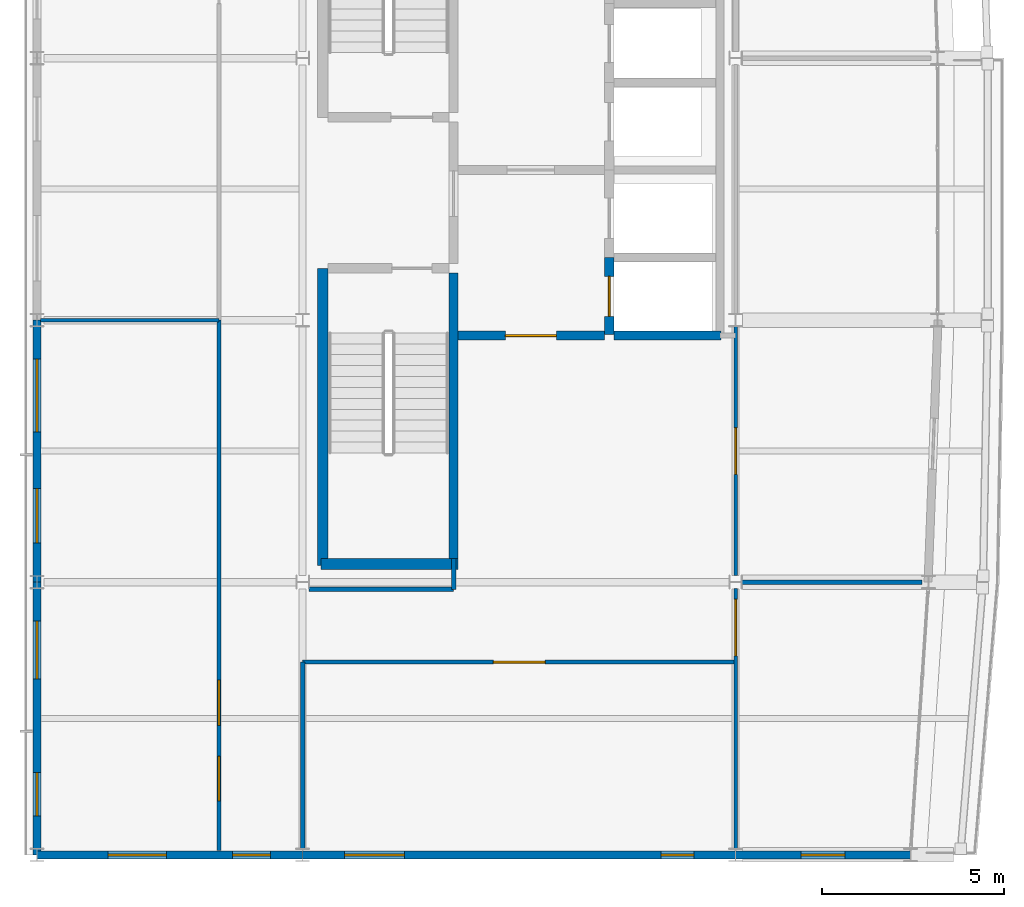
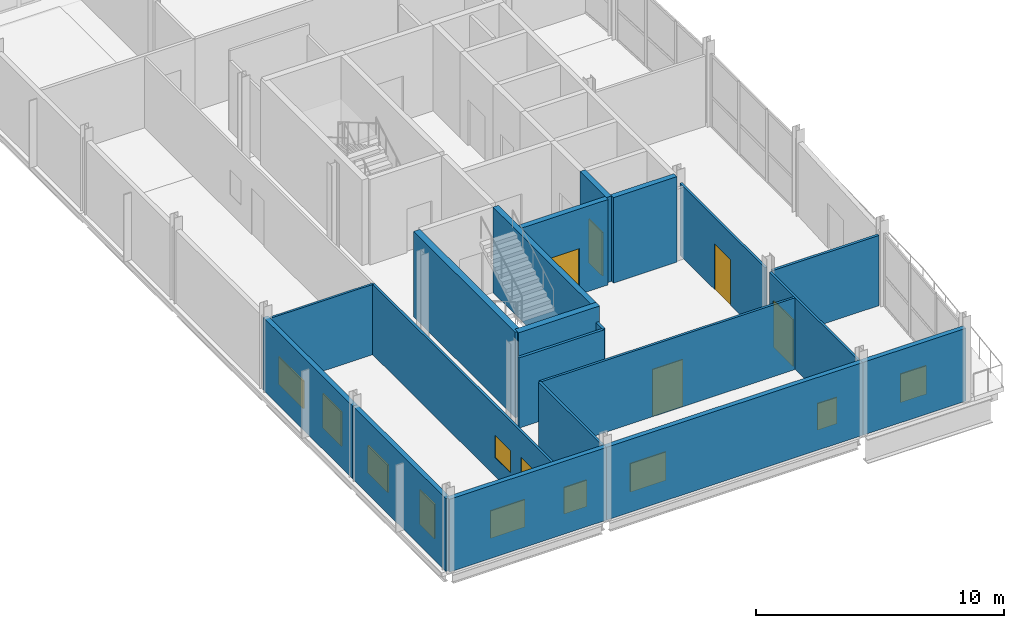
# One storey, part 11 of 17: 20 walls, 10 windows, 6 doors, 16 openings.
"""IFC4 building model written with IfcOpenShell, lengths in metres."""

from ifc_helpers import new_model, si_unit, direction, frame, frame_2d, origin, place, context, subcontext, project, spatial, rectangle, extrude, material, layer, layer_set, type_object, element, fill, save


model = new_model("IFC4")

# Units and contexts
model_context = context("Model", 3, precision=1e-05, world=origin(), true_north=direction((0.0, 1.0)))
body_context = subcontext(model_context, "Body", "Model", "MODEL_VIEW")
ifc_project = project(units=[si_unit("LENGTHUNIT", "METRE"), si_unit("AREAUNIT", "SQUARE_METRE"), si_unit("VOLUMEUNIT", "CUBIC_METRE"), si_unit("PLANEANGLEUNIT", "RADIAN"), si_unit("MASSUNIT", "GRAM", prefix="KILO")], contexts=[model_context])

# Site, building, storey
site_placement = place(None, origin())
site = spatial("IfcSite", under=ifc_project, at=site_placement, CompositionType="ELEMENT")
building_placement = place(site_placement, origin())
building = spatial("IfcBuilding", under=site, at=building_placement, Name="Quillay Park Conservatory", CompositionType="ELEMENT")
storey_placement = place(building_placement, frame((0.0, 0.0, 47.699951171875)))
storey = spatial("IfcBuildingStorey", under=building, at=storey_placement, Name="L11", CompositionType="ELEMENT", Elevation=47.699951171875)

# Wall
ifc_material_1 = material(Name="Steel-Stud Acoustic Gypsum Board Partition", Category="steel")
ifc_layer_1 = layer(ifc_material_1, 0.10009765625)
ifc_layer_set_1 = layer_set([ifc_layer_1], Name="ACOUSTIC GYPSUM PARTITION 100 (Steel-Stud Acoustic Gypsum Board Partition)")
wall_type_1 = type_object("IfcWallType", Name="ACOUSTIC GYPSUM PARTITION 100", PredefinedType="PARTITIONING", material=ifc_layer_set_1)
wall_1_placement = place(storey_placement, frame((0.64990234375, 85.199951171875, 0.0), z_axis=(0.0, 0.0, 1.0), x_axis=(1.0, 0.0, 0.0)))
element("IfcWall", 1, at=wall_1_placement, inside=storey, type_object=wall_type_1, Name="L11 West Divider 85", PredefinedType="PARTITIONING", context=body_context, shape_type="SweptSolid", body=[
    extrude(rectangle(XDim=4.900146484375, YDim=0.10009765625, at=frame_2d((2.4501953125, 0.0))), origin(), (0.0, 0.0, 1.0), 3.450927734375),
])

# Wall, opening, door
ifc_material_2 = material(Name="Steel-Stud Acoustic Gypsum Board Partition", Category="steel")
ifc_layer_2 = layer(ifc_material_2, 0.10498046875)
ifc_layer_set_2 = layer_set([ifc_layer_2], Name="ACOUSTIC GYPSUM PARTITION 105 (Steel-Stud Acoustic Gypsum Board Partition)")
wall_type_2 = type_object("IfcWallType", Name="ACOUSTIC GYPSUM PARTITION 105", PredefinedType="PARTITIONING", material=ifc_layer_set_2)
wall_2_placement = place(storey_placement, frame((19.75, 78.179443359375, 0.0), z_axis=(0.0, 0.0, 1.0), x_axis=(0.0, 1.0, 0.0)))
wall_2 = element("IfcWall", 2, at=wall_2_placement, inside=storey, type_object=wall_type_2, Name="L11 East Sky-Terrace Botanical Field Studio West Wall 1", PredefinedType="PARTITIONING", context=body_context, shape_type="SweptSolid", body=[
    extrude(rectangle(XDim=6.84765625, YDim=0.10498046875, at=frame_2d((3.423828125, 0.0))), origin(), (0.0, 0.0, 1.0), 3.527099609375),
])
opening_1_placement = place(wall_2_placement, frame((2.780517578125, 0.0, 0.0)))
opening_1 = element("IfcOpeningElement", 3, at=opening_1_placement, cuts=wall_2, Name="Opening D-RM23", PredefinedType="OPENING", context=body_context, shape_type="SweptSolid", body=[
    extrude(rectangle(XDim=1.280029296875, YDim=2.25, at=frame_2d((0.64013671875, 1.125))), frame((0.0, 0.052490234375, 0.0), z_axis=(0.0, -1.0, 0.0), x_axis=(1.0, 0.0, 0.0)), (0.0, 0.0, 1.0), 0.10498046875),
])
ifc_material_3 = material(Name="Thermally Broken Anodised Aluminium 6063-T6", Category="aluminium")
door_type_1 = type_object("IfcDoorType", Name="SINGLE SWING DOOR 1280 X2250", OperationType="NOTDEFINED", PredefinedType="DOOR", material=ifc_material_3)
door_1_placement = place(opening_1_placement, origin())
door_1 = element("IfcDoor", 4, at=door_1_placement, inside=storey, type_object=door_type_1, Name="L11 Door to East Sky-Terrace Botanical Field Studio", OperationType="SINGLE_SWING_LEFT", OverallHeight=2.25, OverallWidth=1.280029296875, PredefinedType="DOOR", context=body_context, shape_type="SweptSolid", body=[
    extrude(rectangle(XDim=1.280029296875, YDim=2.25, at=frame_2d((0.64013671875, 1.125))), frame((0.0, 0.02490234375, 0.0), z_axis=(0.0, -1.0, 0.0), x_axis=(1.0, 0.0, 0.0)), (0.0, 0.0, 1.0), 0.050048828125),
])
fill(opening_1, door_1)

wall_3_placement = place(storey_placement, frame((19.75, 70.673095703125, 0.0), z_axis=(0.0, 0.0, 1.0), x_axis=(0.0, 1.0, 0.0)))
wall_3 = element("IfcWall", 5, at=wall_3_placement, inside=storey, type_object=wall_type_2, Name="L11 Matorral Fire-Ecology Analysis Studio West Door Wall", PredefinedType="PARTITIONING", context=body_context, shape_type="SweptSolid", body=[
    extrude(rectangle(XDim=7.1474609375, YDim=0.10498046875, at=frame_2d((3.57373046875, 0.0))), origin(), (0.0, 0.0, 1.0), 3.527099609375),
])
opening_2_placement = place(wall_3_placement, frame((5.302001953125, 0.0, 0.0)))
opening_2 = element("IfcOpeningElement", 6, at=opening_2_placement, cuts=wall_3, Name="Opening D-RM26", PredefinedType="OPENING", context=body_context, shape_type="SweptSolid", body=[
    extrude(rectangle(XDim=1.550048828125, YDim=2.300048828125, at=frame_2d((0.77490234375, 1.14990234375))), frame((0.0, 0.052490234375, 0.0), z_axis=(0.0, -1.0, 0.0), x_axis=(1.0, 0.0, 0.0)), (0.0, 0.0, 1.0), 0.10498046875),
])
ifc_material_4 = material(Name="Thermally Broken Anodised Aluminium 6063-T6", Category="aluminium")
door_type_2 = type_object("IfcDoorType", Name="SINGLE SWING DOOR 1550 X2300", OperationType="NOTDEFINED", PredefinedType="DOOR", material=ifc_material_4)
door_2_placement = place(opening_2_placement, origin())
door_2 = element("IfcDoor", 7, at=door_2_placement, inside=storey, type_object=door_type_2, Name="L11 Door to Matorral Fire-Ecology Analysis Studio", OperationType="SINGLE_SWING_RIGHT", OverallHeight=2.300048828125, OverallWidth=1.550048828125, PredefinedType="DOOR", context=body_context, shape_type="SweptSolid", body=[
    extrude(rectangle(XDim=1.550048828125, YDim=2.300048828125, at=frame_2d((0.77490234375, 1.14990234375))), frame((0.0, 0.02490234375, 0.0), z_axis=(0.0, -1.0, 0.0), x_axis=(1.0, 0.0, 0.0)), (0.0, 0.0, 1.0), 0.050048828125),
])
fill(opening_2, door_2)

# Wall, openings, window, door
ifc_material_5 = material(Name="Steel-Stud Acoustic Gypsum Board Partition", Category="steel")
ifc_layer_3 = layer(ifc_material_5, 0.110107421875)
ifc_layer_set_3 = layer_set([ifc_layer_3], Name="ACOUSTIC GYPSUM PARTITION 110 (Steel-Stud Acoustic Gypsum Board Partition)")
wall_type_3 = type_object("IfcWallType", Name="ACOUSTIC GYPSUM PARTITION 110", PredefinedType="PARTITIONING", material=ifc_layer_set_3)
wall_4_placement = place(storey_placement, frame((5.550048828125, 70.625, 0.0), z_axis=(0.0, 0.0, 1.0), x_axis=(0.0, 1.0, 0.0)))
wall_4 = element("IfcWall", 8, at=wall_4_placement, inside=storey, type_object=wall_type_3, Name="L11 Rhizosphere Soil Science Workshop Corridor Wall", PredefinedType="PARTITIONING", context=body_context, shape_type="SweptSolid", body=[
    extrude(rectangle(XDim=14.574951171875, YDim=0.110107421875, at=frame_2d((7.28759765625, 0.0))), origin(), (0.0, 0.0, 1.0), 3.450927734375),
])
opening_3_placement = place(wall_4_placement, frame((1.364990234375, 0.0, 0.0)))
opening_3 = element("IfcOpeningElement", 9, at=opening_3_placement, cuts=wall_4, Name="Opening D-RM18", PredefinedType="OPENING", context=body_context, shape_type="SweptSolid", body=[
    extrude(rectangle(XDim=1.219970703125, YDim=2.199951171875, at=frame_2d((0.60986328125, 1.10009765625))), frame((0.0, 0.05517578125, 0.0), z_axis=(0.0, -1.0, 0.0), x_axis=(1.0, 0.0, 0.0)), (0.0, 0.0, 1.0), 0.110107421875),
])
opening_4_placement = place(wall_4_placement, frame((3.43505859375, 0.0, 0.919921875)))
opening_4 = element("IfcOpeningElement", 10, at=opening_4_placement, cuts=wall_4, Name="Opening W-IN04", PredefinedType="OPENING", context=body_context, shape_type="SweptSolid", body=[
    extrude(rectangle(XDim=1.25, YDim=1.10009765625, at=frame_2d((0.625, 0.550048828125))), frame((0.0, 0.05517578125, 0.0), z_axis=(0.0, -1.0, 0.0), x_axis=(1.0, 0.0, 0.0)), (0.0, 0.0, 1.0), 0.110107421875),
])
ifc_material_6 = material(Name="Low-E Double Glazing (Laminated Tempered)", Category="glass")
window_type_1 = type_object("IfcWindowType", Name="OPERABLE VENT WINDOW 1250 X1100", PartitioningType="SINGLE_PANEL", PredefinedType="WINDOW", material=ifc_material_6)
window_1_placement = place(opening_4_placement, origin())
window_1 = element("IfcWindow", 11, at=window_1_placement, inside=storey, type_object=window_type_1, Name="L11 Laboratory Vision Panel 040", OverallHeight=1.10009765625, OverallWidth=1.25, PartitioningType="SINGLE_PANEL", PredefinedType="WINDOW", context=body_context, shape_type="SweptSolid", body=[
    extrude(rectangle(XDim=1.25, YDim=1.10009765625, at=frame_2d((0.625, 0.550048828125))), frame((0.0, 0.030029296875, 0.0), z_axis=(0.0, -1.0, 0.0), x_axis=(1.0, 0.0, 0.0)), (0.0, 0.0, 1.0), 0.06005859375),
])
fill(opening_4, window_1)
ifc_material_7 = material(Name="Thermally Broken Anodised Aluminium 6063-T6", Category="aluminium")
door_type_3 = type_object("IfcDoorType", Name="SINGLE SWING DOOR 1220 X2200", OperationType="NOTDEFINED", PredefinedType="DOOR", material=ifc_material_7)
door_3_placement = place(opening_3_placement, origin())
door_3 = element("IfcDoor", 12, at=door_3_placement, inside=storey, type_object=door_type_3, Name="L11 Door to Rhizosphere Soil Science Workshop", OperationType="SINGLE_SWING_RIGHT", OverallHeight=2.199951171875, OverallWidth=1.219970703125, PredefinedType="DOOR", context=body_context, shape_type="SweptSolid", body=[
    extrude(rectangle(XDim=1.219970703125, YDim=2.199951171875, at=frame_2d((0.60986328125, 1.10009765625))), frame((0.0, 0.02490234375, 0.0), z_axis=(0.0, -1.0, 0.0), x_axis=(1.0, 0.0, 0.0)), (0.0, 0.0, 1.0), 0.050048828125),
])
fill(opening_3, door_3)

# Wall, opening, door
wall_5_placement = place(storey_placement, frame((7.85009765625, 75.800048828125, 0.0), z_axis=(0.0, 0.0, 1.0), x_axis=(1.0, 0.0, 0.0)))
wall_5 = element("IfcWall", 13, at=wall_5_placement, inside=storey, type_object=wall_type_3, Name="L11 Canopy Ecophysiology Sensor Laboratory North Door Wall", PredefinedType="PARTITIONING", context=body_context, shape_type="SweptSolid", body=[
    extrude(rectangle(XDim=11.89990234375, YDim=0.110107421875, at=frame_2d((5.949951171875, 0.0))), origin(), (0.0, 0.0, 1.0), 3.527099609375),
])
opening_5_placement = place(wall_5_placement, frame((5.239990234375, 0.0, 0.0)))
opening_5 = element("IfcOpeningElement", 14, at=opening_5_placement, cuts=wall_5, Name="Opening D-RM25", PredefinedType="OPENING", context=body_context, shape_type="SweptSolid", body=[
    extrude(rectangle(XDim=1.419921875, YDim=2.300048828125, at=frame_2d((0.7099609375, 1.14990234375))), frame((0.0, 0.05517578125, 0.0), z_axis=(0.0, -1.0, 0.0), x_axis=(1.0, 0.0, 0.0)), (0.0, 0.0, 1.0), 0.110107421875),
])
ifc_material_8 = material(Name="Thermally Broken Anodised Aluminium 6063-T6", Category="aluminium")
door_type_4 = type_object("IfcDoorType", Name="SINGLE SWING DOOR 1420 X2300", OperationType="NOTDEFINED", PredefinedType="DOOR", material=ifc_material_8)
door_4_placement = place(opening_5_placement, origin())
door_4 = element("IfcDoor", 15, at=door_4_placement, inside=storey, type_object=door_type_4, Name="L11 Door to Canopy Ecophysiology Sensor Laboratory", OperationType="SINGLE_SWING_LEFT", OverallHeight=2.300048828125, OverallWidth=1.419921875, PredefinedType="DOOR", context=body_context, shape_type="SweptSolid", body=[
    extrude(rectangle(XDim=1.419921875, YDim=2.300048828125, at=frame_2d((0.7099609375, 1.14990234375))), frame((0.0, 0.02490234375, 0.0), z_axis=(0.0, -1.0, 0.0), x_axis=(1.0, 0.0, 0.0)), (0.0, 0.0, 1.0), 0.050048828125),
])
fill(opening_5, door_4)

# Walls
ifc_material_9 = material(Name="Steel-Stud Acoustic Gypsum Board Partition", Category="steel")
ifc_layer_4 = layer(ifc_material_9, 0.114990234375)
ifc_layer_set_4 = layer_set([ifc_layer_4], Name="ACOUSTIC GYPSUM PARTITION 115 (Steel-Stud Acoustic Gypsum Board Partition)")
wall_type_4 = type_object("IfcWallType", Name="ACOUSTIC GYPSUM PARTITION 115", PredefinedType="PARTITIONING", material=ifc_layer_set_4)
wall_6_placement = place(storey_placement, frame((7.85009765625, 70.673095703125, 0.0), z_axis=(0.0, 0.0, 1.0), x_axis=(0.0, 1.0, 0.0)))
element("IfcWall", 16, at=wall_6_placement, inside=storey, type_object=wall_type_4, Name="L11 South-Central West Wall", PredefinedType="PARTITIONING", context=body_context, shape_type="SweptSolid", body=[
    extrude(rectangle(XDim=5.126953125, YDim=0.114990234375, at=frame_2d((2.5634765625, 0.0))), origin(), (0.0, 0.0, 1.0), 3.527099609375),
])
ifc_material_10 = material(Name="Steel-Stud Acoustic Gypsum Board Partition", Category="steel")
ifc_layer_5 = layer(ifc_material_10, 0.1201171875)
ifc_layer_set_5 = layer_set([ifc_layer_5], Name="ACOUSTIC GYPSUM PARTITION 120 (Steel-Stud Acoustic Gypsum Board Partition)")
wall_type_5 = type_object("IfcWallType", Name="ACOUSTIC GYPSUM PARTITION 120", PredefinedType="PARTITIONING", material=ifc_layer_set_5)
wall_7_placement = place(storey_placement, frame((12.0, 77.800048828125, 0.0), z_axis=(0.0, 0.0, 1.0), x_axis=(0.0, 1.0, 0.0)))
element("IfcWall", 17, at=wall_7_placement, inside=storey, type_object=wall_type_5, Name="L11 Core South Vestibule West Wall", PredefinedType="PARTITIONING", context=body_context, shape_type="SweptSolid", body=[
    extrude(rectangle(XDim=0.849853515625, YDim=0.1201171875, at=frame_2d((0.4248046875, 0.0))), origin(), (0.0, 0.0, 1.0), 3.450927734375),
])
wall_8_placement = place(storey_placement, frame((24.87060546875, 78.0, 0.0), z_axis=(0.0, 0.0, 1.0), x_axis=(-1.0, 0.0, 0.0)))
element("IfcWall", 18, at=wall_8_placement, inside=storey, type_object=wall_type_5, Name="L11 East Strip South Wall", PredefinedType="PARTITIONING", context=body_context, shape_type="SweptSolid", body=[
    extrude(rectangle(XDim=4.947509765625, YDim=0.1201171875, at=frame_2d((2.4736328125, 0.0))), origin(), (0.0, 0.0, 1.0), 3.450927734375),
])
ifc_material_11 = material(Name="Steel-Stud Acoustic Gypsum Board Partition", Category="steel")
ifc_layer_6 = layer(ifc_material_11, 0.125)
ifc_layer_set_6 = layer_set([ifc_layer_6], Name="ACOUSTIC GYPSUM PARTITION 125 (Steel-Stud Acoustic Gypsum Board Partition)")
wall_type_6 = type_object("IfcWallType", Name="ACOUSTIC GYPSUM PARTITION 125", PredefinedType="PARTITIONING", material=ifc_layer_set_6)
wall_9_placement = place(storey_placement, frame((8.02294921875, 77.800048828125, 0.0), z_axis=(0.0, 0.0, 1.0), x_axis=(1.0, 0.0, 0.0)))
element("IfcWall", 19, at=wall_9_placement, inside=storey, type_object=wall_type_6, Name="L11 Core South-West Return", PredefinedType="PARTITIONING", context=body_context, shape_type="SweptSolid", body=[
    extrude(rectangle(XDim=3.97705078125, YDim=0.125, at=frame_2d((1.988525390625, 0.0))), origin(), (0.0, 0.0, 1.0), 3.450927734375),
])
ifc_material_12 = material(Name="Concrete C40/50 (NCh170 Concrete C40/50)", Category="concrete")
ifc_layer_7 = layer(ifc_material_12, 0.25)
ifc_layer_set_7 = layer_set([ifc_layer_7], Name="CORE SHEAR WALL 250 (Concrete C40/50 (NCh170 Concrete C40/50))")
wall_type_7 = type_object("IfcWallType", Name="CORE SHEAR WALL 250", PredefinedType="SHEAR", material=ifc_layer_set_7)
wall_10_placement = place(storey_placement, frame((11.9951171875, 78.64990234375, 0.0), z_axis=(0.0, 0.0, 1.0), x_axis=(0.0, 1.0, 0.0)))
element("IfcWall", 20, at=wall_10_placement, inside=storey, type_object=wall_type_7, Name="L11 Core Shear Wall WL-T2E-L11", PredefinedType="SHEAR", context=body_context, shape_type="SweptSolid", body=[
    extrude(rectangle(XDim=7.85009765625, YDim=0.25, at=frame_2d((3.925048828125, 0.0))), origin(), (0.0, 0.0, 1.0), 4.199951171875),
])

# Wall, opening, door
wall_11_placement = place(storey_placement, frame((12.1201171875, 84.77490234375, 0.0), z_axis=(0.0, 0.0, 1.0), x_axis=(1.0, 0.0, 0.0)))
wall_11 = element("IfcWall", 21, at=wall_11_placement, inside=storey, type_object=wall_type_7, Name="L11 Core Shear Wall WL-FFS-L11", PredefinedType="SHEAR", context=body_context, shape_type="SweptSolid", body=[
    extrude(rectangle(XDim=4.02978515625, YDim=0.25, at=frame_2d((2.014892578125, 0.0))), origin(), (0.0, 0.0, 1.0), 4.199951171875),
])
opening_6_placement = place(wall_11_placement, frame((1.300048828125, 0.0, 0.0)))
opening_6 = element("IfcOpeningElement", 22, at=opening_6_placement, cuts=wall_11, Name="Opening D-LB03", PredefinedType="OPENING", context=body_context, shape_type="SweptSolid", body=[
    extrude(rectangle(XDim=1.39990234375, YDim=2.25, at=frame_2d((0.699951171875, 1.125))), frame((0.0, 0.125, 0.0), z_axis=(0.0, -1.0, 0.0), x_axis=(1.0, 0.0, 0.0)), (0.0, 0.0, 1.0), 0.25),
])
ifc_material_13 = material(Name="Steel ASTM A572 Grade 50", Category="steel")
door_type_5 = type_object("IfcDoorType", Name="FIRE RATED LOBBY DOOR 1400 X2250", OperationType="NOTDEFINED", PredefinedType="DOOR", material=ifc_material_13)
door_5_placement = place(opening_6_placement, origin())
door_5 = element("IfcDoor", 23, at=door_5_placement, inside=storey, type_object=door_type_5, Name="L11 South Core Lobby Door", OperationType="SINGLE_SWING_RIGHT", OverallHeight=2.25, OverallWidth=1.39990234375, PredefinedType="DOOR", context=body_context, shape_type="SweptSolid", body=[
    extrude(rectangle(XDim=1.39990234375, YDim=2.25, at=frame_2d((0.699951171875, 1.125))), frame((0.0, 0.02490234375, 0.0), z_axis=(0.0, -1.0, 0.0), x_axis=(1.0, 0.0, 0.0)), (0.0, 0.0, 1.0), 0.050048828125),
])
fill(opening_6, door_5)

# Wall
wall_12_placement = place(storey_placement, frame((16.39990234375, 84.77490234375, 0.0), z_axis=(0.0, 0.0, 1.0), x_axis=(1.0, 0.0, 0.0)))
element("IfcWall", 24, at=wall_12_placement, inside=storey, type_object=wall_type_7, Name="L11 Core Shear Wall WL-LFSO-L11", PredefinedType="SHEAR", context=body_context, shape_type="SweptSolid", body=[
    extrude(rectangle(XDim=2.9501953125, YDim=0.25, at=frame_2d((1.47509765625, 0.0))), origin(), (0.0, 0.0, 1.0), 4.199951171875),
])

# Wall, opening, door
wall_13_placement = place(storey_placement, frame((16.27490234375, 84.800048828125, 0.0), z_axis=(0.0, 0.0, 1.0), x_axis=(0.0, 1.0, 0.0)))
wall_13 = element("IfcWall", 25, at=wall_13_placement, inside=storey, type_object=wall_type_7, Name="L11 Core Shear Wall WL-LFFR-L11-LF-FF1", PredefinedType="SHEAR", context=body_context, shape_type="SweptSolid", body=[
    extrude(rectangle(XDim=2.125, YDim=0.25, at=frame_2d((1.0625, 0.0))), origin(), (0.0, 0.0, 1.0), 4.199951171875),
])
opening_7_placement = place(wall_13_placement, frame((0.5, 0.0, 0.0)))
opening_7 = element("IfcOpeningElement", 26, at=opening_7_placement, cuts=wall_13, Name="Opening LD01", PredefinedType="OPENING", context=body_context, shape_type="SweptSolid", body=[
    extrude(rectangle(XDim=1.10009765625, YDim=2.14990234375, at=frame_2d((0.550048828125, 1.074951171875))), frame((0.0, 0.125, 0.0), z_axis=(0.0, -1.0, 0.0), x_axis=(1.0, 0.0, 0.0)), (0.0, 0.0, 1.0), 0.25),
])
ifc_material_14 = material(Name="Steel ASTM A572 Grade 50", Category="steel")
door_type_6 = type_object("IfcDoorType", Name="LIFT LANDING SLIDING DOOR 1100 X2150", OperationType="NOTDEFINED", PredefinedType="DOOR", material=ifc_material_14)
door_6_placement = place(opening_7_placement, origin())
door_6 = element("IfcDoor", 27, at=door_6_placement, inside=storey, type_object=door_type_6, Name="L11 LF-FF1 Lift Landing Door LD01", OperationType="SLIDING_TO_LEFT", OverallHeight=2.14990234375, OverallWidth=1.10009765625, PredefinedType="DOOR", context=body_context, shape_type="SweptSolid", body=[
    extrude(rectangle(XDim=1.10009765625, YDim=2.14990234375, at=frame_2d((0.550048828125, 1.074951171875))), frame((0.0, 0.02490234375, 0.0), z_axis=(0.0, -1.0, 0.0), x_axis=(1.0, 0.0, 0.0)), (0.0, 0.0, 1.0), 0.050048828125),
])
fill(opening_7, door_6)

# Walls
ifc_material_15 = material(Name="Concrete C40/50 (NCh170 Concrete C40/50)", Category="concrete")
ifc_layer_8 = layer(ifc_material_15, 0.300048828125)
ifc_layer_set_8 = layer_set([ifc_layer_8], Name="CORE SHEAR WALL 300 (Concrete C40/50 (NCh170 Concrete C40/50))")
wall_type_8 = type_object("IfcWallType", Name="CORE SHEAR WALL 300", PredefinedType="SHEAR", material=ifc_layer_set_8)
wall_14_placement = place(storey_placement, frame((8.39990234375, 78.449951171875, 0.0), z_axis=(0.0, 0.0, 1.0), x_axis=(0.0, 1.0, 0.0)))
element("IfcWall", 28, at=wall_14_placement, inside=storey, type_object=wall_type_8, Name="L11 Core Shear Wall WL-TCW-S-L11", PredefinedType="SHEAR", context=body_context, shape_type="SweptSolid", body=[
    extrude(rectangle(XDim=8.175048828125, YDim=0.300048828125, at=frame_2d((4.08740234375, 0.0))), origin(), (0.0, 0.0, 1.0), 4.199951171875),
])
wall_15_placement = place(storey_placement, frame((8.35009765625, 78.5, 0.0), z_axis=(0.0, 0.0, 1.0), x_axis=(1.0, 0.0, 0.0)))
element("IfcWall", 29, at=wall_15_placement, inside=storey, type_object=wall_type_8, Name="L11 Core Shear Wall WL-TCS-L11", PredefinedType="SHEAR", context=body_context, shape_type="SweptSolid", body=[
    extrude(rectangle(XDim=3.77001953125, YDim=0.300048828125, at=frame_2d((1.885009765625, 0.0))), origin(), (0.0, 0.0, 1.0), 4.199951171875),
])

# Wall, openings, windows
ifc_material_16 = material(Name="Glass-Fibre Reinforced Concrete (GRC) Cladding", Category="concrete")
ifc_layer_9 = layer(ifc_material_16, 0.219970703125)
ifc_layer_set_9 = layer_set([ifc_layer_9], Name="EXTERIOR SOLID WALL 220 (Glass-Fibre Reinforced Concrete (GRC) Cladding)")
wall_type_9 = type_object("IfcWallType", Name="EXTERIOR SOLID WALL 220", PredefinedType="SOLIDWALL", material=ifc_layer_set_9)
wall_16_placement = place(storey_placement, frame((0.550048828125, 70.5, 0.0), z_axis=(0.0, 0.0, 1.0), x_axis=(0.0, 1.0, 0.0)))
wall_16 = element("IfcWall", 30, at=wall_16_placement, inside=storey, type_object=wall_type_9, Name="L11 External Wall WL-EXT-V4W-L11-0", PredefinedType="SOLIDWALL", context=body_context, shape_type="SweptSolid", body=[
    extrude(rectangle(XDim=7.5, YDim=0.219970703125, at=frame_2d((3.75, 0.0))), origin(), (0.0, 0.0, 1.0), 3.5771484375),
])
opening_8_placement = place(wall_16_placement, frame((1.070068359375, 0.0, 0.919921875)))
opening_8 = element("IfcOpeningElement", 31, at=opening_8_placement, cuts=wall_16, Name="Opening W-12", PredefinedType="OPENING", context=body_context, shape_type="SweptSolid", body=[
    extrude(rectangle(XDim=1.199951171875, YDim=1.699951171875, at=frame_2d((0.60009765625, 0.85009765625))), frame((0.0, 0.10986328125, 0.0), z_axis=(0.0, -1.0, 0.0), x_axis=(1.0, 0.0, 0.0)), (0.0, 0.0, 1.0), 0.219970703125),
])
opening_9_placement = place(wall_16_placement, frame((4.830078125, 0.0, 0.919921875)))
opening_9 = element("IfcOpeningElement", 32, at=opening_9_placement, cuts=wall_16, Name="Opening W-19", PredefinedType="OPENING", context=body_context, shape_type="SweptSolid", body=[
    extrude(rectangle(XDim=1.60009765625, YDim=1.35009765625, at=frame_2d((0.800048828125, 0.675048828125))), frame((0.0, 0.10986328125, 0.0), z_axis=(0.0, -1.0, 0.0), x_axis=(1.0, 0.0, 0.0)), (0.0, 0.0, 1.0), 0.219970703125),
])
ifc_material_17 = material(Name="Low-E Double Glazing (Laminated Tempered)", Category="glass")
window_type_2 = type_object("IfcWindowType", Name="FIXED CASEMENT WINDOW 1200 X1700", PartitioningType="SINGLE_PANEL", PredefinedType="WINDOW", material=ifc_material_17)
window_2_placement = place(opening_8_placement, origin())
window_2 = element("IfcWindow", 33, at=window_2_placement, inside=storey, type_object=window_type_2, Name="L11 Exterior Window 0253", OverallHeight=1.699951171875, OverallWidth=1.199951171875, PartitioningType="SINGLE_PANEL", PredefinedType="WINDOW", context=body_context, shape_type="SweptSolid", body=[
    extrude(rectangle(XDim=1.199951171875, YDim=1.699951171875, at=frame_2d((0.60009765625, 0.85009765625))), frame((0.0, 0.030029296875, 0.0), z_axis=(0.0, -1.0, 0.0), x_axis=(1.0, 0.0, 0.0)), (0.0, 0.0, 1.0), 0.06005859375),
])
fill(opening_8, window_2)
ifc_material_18 = material(Name="Low-E Double Glazing (Laminated Tempered)", Category="glass")
window_type_3 = type_object("IfcWindowType", Name="FIXED CASEMENT WINDOW 1600 X1350", PartitioningType="DOUBLE_PANEL_VERTICAL", PredefinedType="WINDOW", material=ifc_material_18)
window_3_placement = place(opening_9_placement, origin())
window_3 = element("IfcWindow", 34, at=window_3_placement, inside=storey, type_object=window_type_3, Name="L11 Exterior Window 0254", OverallHeight=1.35009765625, OverallWidth=1.60009765625, PartitioningType="DOUBLE_PANEL_VERTICAL", PredefinedType="WINDOW", context=body_context, shape_type="SweptSolid", body=[
    extrude(rectangle(XDim=1.60009765625, YDim=1.35009765625, at=frame_2d((0.800048828125, 0.675048828125))), frame((0.0, 0.030029296875, 0.0), z_axis=(0.0, -1.0, 0.0), x_axis=(1.0, 0.0, 0.0)), (0.0, 0.0, 1.0), 0.06005859375),
])
fill(opening_9, window_3)

wall_17_placement = place(storey_placement, frame((0.550048828125, 78.0, 0.0), z_axis=(0.0, 0.0, 1.0), x_axis=(0.0, 1.0, 0.0)))
wall_17 = element("IfcWall", 35, at=wall_17_placement, inside=storey, type_object=wall_type_9, Name="L11 External Wall WL-EXT-V4W-L11-1", PredefinedType="SOLIDWALL", context=body_context, shape_type="SweptSolid", body=[
    extrude(rectangle(XDim=7.199951171875, YDim=0.219970703125, at=frame_2d((3.60009765625, 0.0))), origin(), (0.0, 0.0, 1.0), 3.5771484375),
])
opening_10_placement = place(wall_17_placement, frame((1.070068359375, 0.0, 0.919921875)))
opening_10 = element("IfcOpeningElement", 36, at=opening_10_placement, cuts=wall_17, Name="Opening W-13", PredefinedType="OPENING", context=body_context, shape_type="SweptSolid", body=[
    extrude(rectangle(XDim=1.5, YDim=1.699951171875, at=frame_2d((0.75, 0.85009765625))), frame((0.0, 0.10986328125, 0.0), z_axis=(0.0, -1.0, 0.0), x_axis=(1.0, 0.0, 0.0)), (0.0, 0.0, 1.0), 0.219970703125),
])
opening_11_placement = place(wall_17_placement, frame((4.1298828125, 0.0, 0.919921875)))
opening_11 = element("IfcOpeningElement", 37, at=opening_11_placement, cuts=wall_17, Name="Opening W-20", PredefinedType="OPENING", context=body_context, shape_type="SweptSolid", body=[
    extrude(rectangle(XDim=2.0, YDim=1.35009765625, at=frame_2d((1.0, 0.675048828125))), frame((0.0, 0.10986328125, 0.0), z_axis=(0.0, -1.0, 0.0), x_axis=(1.0, 0.0, 0.0)), (0.0, 0.0, 1.0), 0.219970703125),
])
ifc_material_19 = material(Name="Low-E Double Glazing (Laminated Tempered)", Category="glass")
window_type_4 = type_object("IfcWindowType", Name="FIXED CASEMENT WINDOW 1500 X1700", PartitioningType="SINGLE_PANEL", PredefinedType="WINDOW", material=ifc_material_19)
window_4_placement = place(opening_10_placement, origin())
window_4 = element("IfcWindow", 38, at=window_4_placement, inside=storey, type_object=window_type_4, Name="L11 Exterior Window 0255", OverallHeight=1.699951171875, OverallWidth=1.5, PartitioningType="SINGLE_PANEL", PredefinedType="WINDOW", context=body_context, shape_type="SweptSolid", body=[
    extrude(rectangle(XDim=1.5, YDim=1.699951171875, at=frame_2d((0.75, 0.85009765625))), frame((0.0, 0.030029296875, 0.0), z_axis=(0.0, -1.0, 0.0), x_axis=(1.0, 0.0, 0.0)), (0.0, 0.0, 1.0), 0.06005859375),
])
fill(opening_10, window_4)
ifc_material_20 = material(Name="Low-E Double Glazing (Laminated Tempered)", Category="glass")
window_type_5 = type_object("IfcWindowType", Name="FIXED CASEMENT WINDOW 2000 X1350", PartitioningType="DOUBLE_PANEL_VERTICAL", PredefinedType="WINDOW", material=ifc_material_20)
window_5_placement = place(opening_11_placement, origin())
window_5 = element("IfcWindow", 39, at=window_5_placement, inside=storey, type_object=window_type_5, Name="L11 Exterior Window 0256", OverallHeight=1.35009765625, OverallWidth=2.0, PartitioningType="DOUBLE_PANEL_VERTICAL", PredefinedType="WINDOW", context=body_context, shape_type="SweptSolid", body=[
    extrude(rectangle(XDim=2.0, YDim=1.35009765625, at=frame_2d((1.0, 0.675048828125))), frame((0.0, 0.030029296875, 0.0), z_axis=(0.0, -1.0, 0.0), x_axis=(1.0, 0.0, 0.0)), (0.0, 0.0, 1.0), 0.06005859375),
])
fill(opening_11, window_5)

wall_18_placement = place(storey_placement, frame((7.85009765625, 70.5, 0.0), z_axis=(0.0, 0.0, 1.0), x_axis=(-1.0, 0.0, 0.0)))
wall_18 = element("IfcWall", 40, at=wall_18_placement, inside=storey, type_object=wall_type_9, Name="L11 External Wall WL-EXT-V4S1-L11", PredefinedType="SOLIDWALL", context=body_context, shape_type="SweptSolid", body=[
    extrude(rectangle(XDim=7.300048828125, YDim=0.219970703125, at=frame_2d((3.64990234375, 0.0))), origin(), (0.0, 0.0, 1.0), 3.5771484375),
])
opening_12_placement = place(wall_18_placement, frame((0.8798828125, 0.0, 0.919921875)))
opening_12 = element("IfcOpeningElement", 41, at=opening_12_placement, cuts=wall_18, Name="Opening W-18", PredefinedType="OPENING", context=body_context, shape_type="SweptSolid", body=[
    extrude(rectangle(XDim=1.050048828125, YDim=1.300048828125, at=frame_2d((0.52490234375, 0.64990234375))), frame((0.0, 0.10986328125, 0.0), z_axis=(0.0, -1.0, 0.0), x_axis=(1.0, 0.0, 0.0)), (0.0, 0.0, 1.0), 0.219970703125),
])
opening_13_placement = place(wall_18_placement, frame((3.7451171875, 0.0, 0.919921875)))
opening_13 = element("IfcOpeningElement", 42, at=opening_13_placement, cuts=wall_18, Name="Opening W-19", PredefinedType="OPENING", context=body_context, shape_type="SweptSolid", body=[
    extrude(rectangle(XDim=1.60009765625, YDim=1.35009765625, at=frame_2d((0.800048828125, 0.675048828125))), frame((0.0, 0.10986328125, 0.0), z_axis=(0.0, -1.0, 0.0), x_axis=(1.0, 0.0, 0.0)), (0.0, 0.0, 1.0), 0.219970703125),
])
ifc_material_21 = material(Name="Low-E Double Glazing (Laminated Tempered)", Category="glass")
window_type_6 = type_object("IfcWindowType", Name="FIXED CASEMENT WINDOW 1050 X1300", PartitioningType="SINGLE_PANEL", PredefinedType="WINDOW", material=ifc_material_21)
window_6_placement = place(opening_12_placement, origin())
window_6 = element("IfcWindow", 43, at=window_6_placement, inside=storey, type_object=window_type_6, Name="L11 Exterior Window 0265", OverallHeight=1.300048828125, OverallWidth=1.050048828125, PartitioningType="SINGLE_PANEL", PredefinedType="WINDOW", context=body_context, shape_type="SweptSolid", body=[
    extrude(rectangle(XDim=1.050048828125, YDim=1.300048828125, at=frame_2d((0.52490234375, 0.64990234375))), frame((0.0, 0.030029296875, 0.0), z_axis=(0.0, -1.0, 0.0), x_axis=(1.0, 0.0, 0.0)), (0.0, 0.0, 1.0), 0.06005859375),
])
fill(opening_12, window_6)
window_7_placement = place(opening_13_placement, origin())
window_7 = element("IfcWindow", 44, at=window_7_placement, inside=storey, type_object=window_type_3, Name="L11 Exterior Window 0266", OverallHeight=1.35009765625, OverallWidth=1.60009765625, PartitioningType="DOUBLE_PANEL_VERTICAL", PredefinedType="WINDOW", context=body_context, shape_type="SweptSolid", body=[
    extrude(rectangle(XDim=1.60009765625, YDim=1.35009765625, at=frame_2d((0.800048828125, 0.675048828125))), frame((0.0, 0.030029296875, 0.0), z_axis=(0.0, -1.0, 0.0), x_axis=(1.0, 0.0, 0.0)), (0.0, 0.0, 1.0), 0.06005859375),
])
fill(opening_13, window_7)

wall_19_placement = place(storey_placement, frame((19.75, 70.5, 0.0), z_axis=(0.0, 0.0, 1.0), x_axis=(-1.0, 0.0, 0.0)))
wall_19 = element("IfcWall", 45, at=wall_19_placement, inside=storey, type_object=wall_type_9, Name="L11 External Wall WL-EXT-V4S2-L11", PredefinedType="SOLIDWALL", context=body_context, shape_type="SweptSolid", body=[
    extrude(rectangle(XDim=11.89990234375, YDim=0.219970703125, at=frame_2d((5.949951171875, 0.0))), origin(), (0.0, 0.0, 1.0), 3.5771484375),
])
opening_14_placement = place(wall_19_placement, frame((1.14990234375, 0.0, 0.919921875)))
opening_14 = element("IfcOpeningElement", 46, at=opening_14_placement, cuts=wall_19, Name="Opening W-17", PredefinedType="OPENING", context=body_context, shape_type="SweptSolid", body=[
    extrude(rectangle(XDim=0.89990234375, YDim=1.300048828125, at=frame_2d((0.449951171875, 0.64990234375))), frame((0.0, 0.10986328125, 0.0), z_axis=(0.0, -1.0, 0.0), x_axis=(1.0, 0.0, 0.0)), (0.0, 0.0, 1.0), 0.219970703125),
])
opening_15_placement = place(wall_19_placement, frame((9.10009765625, 0.0, 0.919921875)))
opening_15 = element("IfcOpeningElement", 47, at=opening_15_placement, cuts=wall_19, Name="Opening W-04", PredefinedType="OPENING", context=body_context, shape_type="SweptSolid", body=[
    extrude(rectangle(XDim=1.64990234375, YDim=1.39990234375, at=frame_2d((0.824951171875, 0.699951171875))), frame((0.0, 0.10986328125, 0.0), z_axis=(0.0, -1.0, 0.0), x_axis=(1.0, 0.0, 0.0)), (0.0, 0.0, 1.0), 0.219970703125),
])
ifc_material_22 = material(Name="Low-E Double Glazing (Laminated Tempered)", Category="glass")
window_type_7 = type_object("IfcWindowType", Name="FIXED CASEMENT WINDOW 1650 X1400", PartitioningType="DOUBLE_PANEL_VERTICAL", PredefinedType="WINDOW", material=ifc_material_22)
window_8_placement = place(opening_15_placement, origin())
window_8 = element("IfcWindow", 48, at=window_8_placement, inside=storey, type_object=window_type_7, Name="L11 Exterior Window 0268", OverallHeight=1.39990234375, OverallWidth=1.64990234375, PartitioningType="DOUBLE_PANEL_VERTICAL", PredefinedType="WINDOW", context=body_context, shape_type="SweptSolid", body=[
    extrude(rectangle(XDim=1.64990234375, YDim=1.39990234375, at=frame_2d((0.824951171875, 0.699951171875))), frame((0.0, 0.030029296875, 0.0), z_axis=(0.0, -1.0, 0.0), x_axis=(1.0, 0.0, 0.0)), (0.0, 0.0, 1.0), 0.06005859375),
])
fill(opening_15, window_8)
ifc_material_23 = material(Name="Low-E Double Glazing (Laminated Tempered)", Category="glass")
window_type_8 = type_object("IfcWindowType", Name="FIXED CASEMENT WINDOW 900 X1300", PartitioningType="SINGLE_PANEL", PredefinedType="WINDOW", material=ifc_material_23)
window_9_placement = place(opening_14_placement, origin())
window_9 = element("IfcWindow", 49, at=window_9_placement, inside=storey, type_object=window_type_8, Name="L11 Exterior Window 0267", OverallHeight=1.300048828125, OverallWidth=0.89990234375, PartitioningType="SINGLE_PANEL", PredefinedType="WINDOW", context=body_context, shape_type="SweptSolid", body=[
    extrude(rectangle(XDim=0.89990234375, YDim=1.300048828125, at=frame_2d((0.449951171875, 0.64990234375))), frame((0.0, 0.030029296875, 0.0), z_axis=(0.0, -1.0, 0.0), x_axis=(1.0, 0.0, 0.0)), (0.0, 0.0, 1.0), 0.06005859375),
])
fill(opening_14, window_9)

# Wall, opening, window
wall_20_placement = place(storey_placement, frame((24.550048828125, 70.5, 0.0), z_axis=(0.0, 0.0, 1.0), x_axis=(-1.0, 0.0, 0.0)))
wall_20 = element("IfcWall", 50, at=wall_20_placement, inside=storey, type_object=wall_type_9, Name="L11 External Wall WL-EXT-V4S3-L11", PredefinedType="SOLIDWALL", context=body_context, shape_type="SweptSolid", body=[
    extrude(rectangle(XDim=4.800048828125, YDim=0.219970703125, at=frame_2d((2.39990234375, 0.0))), origin(), (0.0, 0.0, 1.0), 3.5771484375),
])
opening_16_placement = place(wall_20_placement, frame((1.800048828125, 0.0, 0.919921875)))
opening_16 = element("IfcOpeningElement", 51, at=opening_16_placement, cuts=wall_20, Name="Opening W-01", PredefinedType="OPENING", context=body_context, shape_type="SweptSolid", body=[
    extrude(rectangle(XDim=1.199951171875, YDim=1.39990234375, at=frame_2d((0.60009765625, 0.699951171875))), frame((0.0, 0.10986328125, 0.0), z_axis=(0.0, -1.0, 0.0), x_axis=(1.0, 0.0, 0.0)), (0.0, 0.0, 1.0), 0.219970703125),
])
ifc_material_24 = material(Name="Low-E Double Glazing (Laminated Tempered)", Category="glass")
window_type_9 = type_object("IfcWindowType", Name="FIXED CASEMENT WINDOW 1200 X1400", PartitioningType="SINGLE_PANEL", PredefinedType="WINDOW", material=ifc_material_24)
window_10_placement = place(opening_16_placement, origin())
window_10 = element("IfcWindow", 52, at=window_10_placement, inside=storey, type_object=window_type_9, Name="L11 Exterior Window 0269", OverallHeight=1.39990234375, OverallWidth=1.199951171875, PartitioningType="SINGLE_PANEL", PredefinedType="WINDOW", context=body_context, shape_type="SweptSolid", body=[
    extrude(rectangle(XDim=1.199951171875, YDim=1.39990234375, at=frame_2d((0.60009765625, 0.699951171875))), frame((0.0, 0.030029296875, 0.0), z_axis=(0.0, -1.0, 0.0), x_axis=(1.0, 0.0, 0.0)), (0.0, 0.0, 1.0), 0.06005859375),
])
fill(opening_16, window_10)

save(model, "model.ifc")
